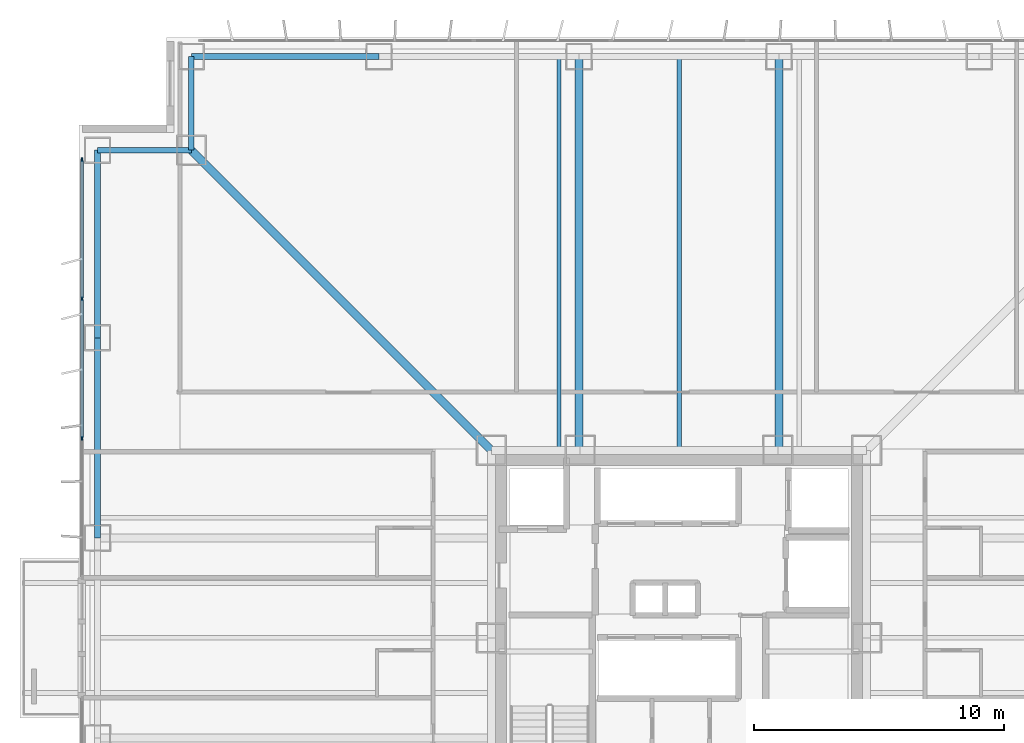
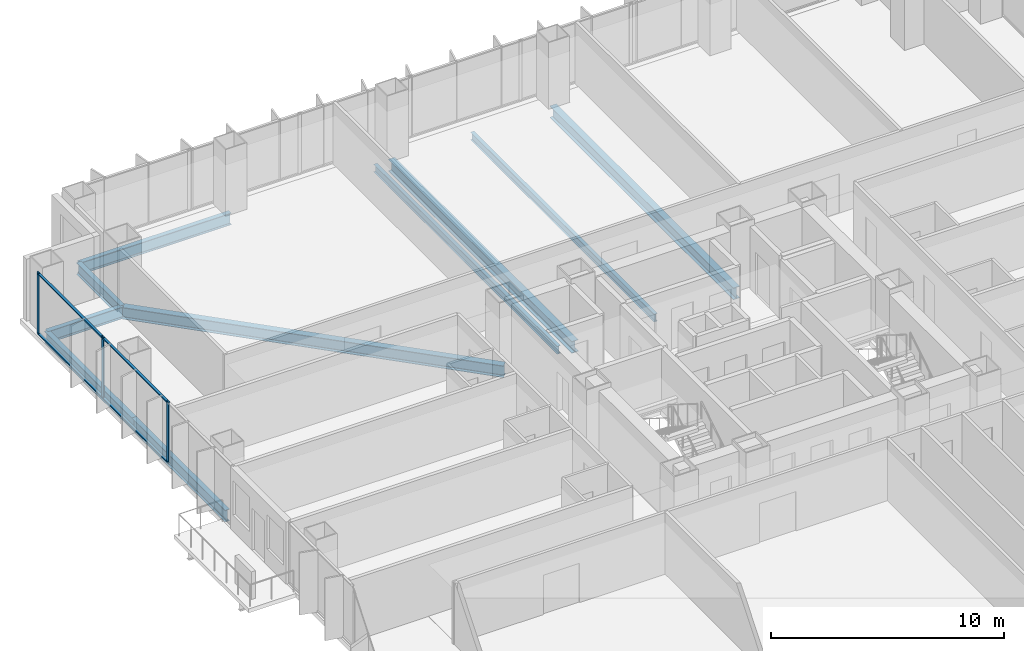
# One storey, part 7 of 16: 10 beams, 7 members, 1 element without a shape of its own.
"""IFC4 building model written with IfcOpenShell, lengths in metres."""

import ifcopenshell
import ifcopenshell.guid

model = None  # the IFC model being written
_history = None  # IfcOwnerHistory: only IFC2X3 demands one
_inside = {}  # id of a spatial element -> (the spatial element, [elements in it])
_under = {}  # id of a project, library or spatial element -> (it, [spatial elements below it])
_declared = {}  # id of a project -> (the project, [libraries it declares])
_typed = {}  # id of a type object -> (the type object, [elements of that type])
_made_of = {}  # id of a material, layer set ... -> (it, [elements and type objects made of it])


def new_model(schema):
    """Start an empty IFC model of exactly this schema.

    Asked for "IFC4X3", IfcOpenShell would pick the latest addendum, in which some entities
    have other attributes; the version numbers below select the first issue.
    IFC2X3 requires an IfcOwnerHistory on every rooted entity: one is made here for all.
    """
    global model, _history
    if schema == "IFC4X3":
        model = ifcopenshell.file(schema_version=(4, 3, 0, 0))
    else:
        model = ifcopenshell.file(schema=schema)
    _inside.clear()
    _under.clear()
    _declared.clear()
    _typed.clear()
    _made_of.clear()
    _history = None
    if model.schema == "IFC2X3":
        org = make("IfcOrganization", Name="unknown")
        user = make(
            "IfcPersonAndOrganization",
            ThePerson=make("IfcPerson", FamilyName="unknown"),
            TheOrganization=org,
        )
        app = make(
            "IfcApplication",
            ApplicationDeveloper=org,
            Version="unknown",
            ApplicationFullName="unknown",
            ApplicationIdentifier="unknown",
        )
        _history = make(
            "IfcOwnerHistory",
            OwningUser=user,
            OwningApplication=app,
            ChangeAction="ADDED",
            CreationDate=0,
        )
    return model


def make(cls, **values):
    """One entity of the class cls with the attributes given. An attribute that is None is left unset."""
    return model.create_entity(
        cls, **{name: value for name, value in values.items() if value is not None}
    )


def rooted(cls, **values):
    """An entity with a GlobalId (a new one), such as an element, a storey or a relation."""
    return make(cls, GlobalId=ifcopenshell.guid.new(), OwnerHistory=_history, **values)


def si_unit(unit_type, name, prefix=None):
    """IfcSIUnit, for example si_unit("LENGTHUNIT", "METRE", prefix="MILLI")."""
    return make("IfcSIUnit", UnitType=unit_type, Prefix=prefix, Name=name)


def assignment(units):
    """IfcUnitAssignment: the units of a project."""
    return None if units is None else make("IfcUnitAssignment", Units=units)


def point(xyz):
    """IfcCartesianPoint."""
    return None if xyz is None else make("IfcCartesianPoint", Coordinates=xyz)


def direction(xyz):
    """IfcDirection."""
    return None if xyz is None else make("IfcDirection", DirectionRatios=xyz)


def frame(location, z_axis=None, x_axis=None):
    """IfcAxis2Placement3D, a coordinate frame: its origin and axes. An axis left out is left unset."""
    return make(
        "IfcAxis2Placement3D",
        Location=point(location),
        Axis=direction(z_axis),
        RefDirection=direction(x_axis),
    )


def frame_2d(location, x_axis=None):
    """IfcAxis2Placement2D, a coordinate frame in the plane: its origin and x axis."""
    return make(
        "IfcAxis2Placement2D", Location=point(location), RefDirection=direction(x_axis)
    )


def origin():
    """The frame at (0, 0, 0) with its axes left unset."""
    return frame((0.0, 0.0, 0.0))


def origin_2d():
    """The frame at (0, 0) in the plane with its x axis left unset."""
    return frame_2d((0.0, 0.0))


def place(relative_to, where):
    """IfcLocalPlacement: puts the frame where relative to a parent placement (None: the world)."""
    return make(
        "IfcLocalPlacement", PlacementRelTo=relative_to, RelativePlacement=where
    )


def context(
    kind, dimensions, precision=None, world=None, true_north=None, identifier=None
):
    """IfcGeometricRepresentationContext, for example the 3D "Model" context."""
    return make(
        "IfcGeometricRepresentationContext",
        ContextIdentifier=identifier,
        ContextType=kind,
        CoordinateSpaceDimension=dimensions,
        Precision=precision,
        WorldCoordinateSystem=world,
        TrueNorth=true_north,
    )


def subcontext(parent, identifier, kind, view, scale=None):
    """IfcGeometricRepresentationSubContext, for example "Body" below "Model"."""
    return make(
        "IfcGeometricRepresentationSubContext",
        ContextIdentifier=identifier,
        ContextType=kind,
        ParentContext=parent,
        TargetScale=scale,
        TargetView=view,
    )


def project(units=None, contexts=None):
    """IfcProject with its units and contexts."""
    return rooted(
        "IfcProject",
        Name="project",
        RepresentationContexts=contexts,
        UnitsInContext=assignment(units),
    )


def spatial(cls, under=None, at=None, **own):
    """A site, building, storey or space (cls), placed at a placement, below another one or the project."""
    s = rooted(cls, ObjectPlacement=at, **own)
    if under is not None:
        _under.setdefault(under.id(), (under, []))[1].append(s)
    return s


def profile(cls, at=None, kind="AREA", **sizes):
    """A parametric profile (cls). Its sizes go by their IFC names, for example OverallWidth=200.0."""
    return make(cls, ProfileType=kind, Position=at, **sizes)


def rectangle(**sizes):
    """IfcRectangleProfileDef."""
    return profile("IfcRectangleProfileDef", **sizes)


def i_section(**sizes):
    """IfcIShapeProfileDef."""
    return profile("IfcIShapeProfileDef", **sizes)


def extrude(swept, where, along, depth):
    """IfcExtrudedAreaSolid: the profile swept, set in the frame where, extruded along a direction by depth."""
    return make(
        "IfcExtrudedAreaSolid",
        SweptArea=swept,
        Position=where,
        ExtrudedDirection=direction(along),
        Depth=depth,
    )


def shape(context_of_items, identifier, shape_type, items):
    """IfcShapeRepresentation: the items that make up one representation, for example the "Body"."""
    return make(
        "IfcShapeRepresentation",
        ContextOfItems=context_of_items,
        RepresentationIdentifier=identifier,
        RepresentationType=shape_type,
        Items=items,
    )


def material(Name=None, Category=None):
    """IfcMaterial."""
    return make("IfcMaterial", Name=Name, Category=Category)


def layer(
    of_material, thickness, ventilated=None, Name=None, Category=None, Priority=None
):
    """IfcMaterialLayer: one layer of a wall or slab, of a material (None: an air gap)."""
    return make(
        "IfcMaterialLayer",
        Material=of_material,
        LayerThickness=thickness,
        IsVentilated=ventilated,
        Name=Name,
        Category=Category,
        Priority=Priority,
    )


def layer_set(layers, Name=None):
    """IfcMaterialLayerSet."""
    return make("IfcMaterialLayerSet", MaterialLayers=layers, LayerSetName=Name)


def material_profile(
    of_material, cross_section, Name=None, Category=None, Priority=None
):
    """IfcMaterialProfile: a cross section and its material."""
    return make(
        "IfcMaterialProfile",
        Name=Name,
        Material=of_material,
        Profile=cross_section,
        Priority=Priority,
        Category=Category,
    )


def profile_set(profiles, Name=None, composite=None):
    """IfcMaterialProfileSet."""
    return make(
        "IfcMaterialProfileSet",
        Name=Name,
        MaterialProfiles=profiles,
        CompositeProfile=composite,
    )


def made_of(thing, what):
    """Note that an element or type object is made of a material, layer set ...; save() writes the relation."""
    if what is not None:
        _made_of.setdefault(what.id(), (what, []))[1].append(thing)
    return thing


def type_object(cls, material=None, **own):
    """A type object (cls), such as IfcWallType, which elements share."""
    return made_of(rooted(cls, **own), material)


def element(
    cls,
    number,
    at=None,
    inside=None,
    cuts=None,
    type_object=None,
    material=None,
    context=None,
    identifier="Body",
    shape_type=None,
    held_by="IfcProductDefinitionShape",
    body=None,
    shapes=None,
    **own,
):
    """One element of the class cls, such as IfcWall. Its Tag is "e" and its number.

    at: its placement. inside: the storey or other place that contains it. cuts: it is an
    opening in that element (IfcRelVoidsElement). A single representation is given by context,
    identifier, shape_type and body (its items); several are given by shapes. held_by: the class
    of the entity that holds the representations. save() writes the other relations.
    """
    e = rooted(cls, Tag="e%d" % number, ObjectPlacement=at, **own)
    if body is not None:
        shapes = [shape(context, identifier, shape_type, body)]
    if shapes is not None:
        e.Representation = make(held_by, Representations=shapes)
    if inside is not None:
        _inside.setdefault(inside.id(), (inside, []))[1].append(e)
    if cuts is not None:
        rooted(
            "IfcRelVoidsElement", RelatingBuildingElement=cuts, RelatedOpeningElement=e
        )
    if type_object is not None:
        _typed.setdefault(type_object.id(), (type_object, []))[1].append(e)
    return made_of(e, material)


def aggregate(whole, parts):
    """IfcRelAggregates: a whole, such as a stair, and the parts it consists of."""
    return rooted("IfcRelAggregates", RelatingObject=whole, RelatedObjects=parts)


def save(model, path):
    """Write the relations noted so far, then the file.

    IfcRelAggregates (storeys below a building ...), IfcRelContainedInSpatialStructure (elements
    in a storey), IfcRelDefinesByType, IfcRelAssociatesMaterial and IfcRelDeclares: one each for
    every whole, place, type object, material and project.
    """
    for whole, parts in _under.values():
        aggregate(whole, parts)
    for where, things in _inside.values():
        rooted(
            "IfcRelContainedInSpatialStructure",
            RelatedElements=things,
            RelatingStructure=where,
        )
    for kind, things in _typed.values():
        rooted("IfcRelDefinesByType", RelatedObjects=things, RelatingType=kind)
    for what, things in _made_of.values():
        rooted("IfcRelAssociatesMaterial", RelatedObjects=things, RelatingMaterial=what)
    for by, libraries in _declared.values():
        rooted("IfcRelDeclares", RelatingContext=by, RelatedDefinitions=libraries)
    model.write(path)


model = new_model("IFC4")

# Units and contexts
model_context = context("Model", 3, precision=1e-05, world=origin(), true_north=direction((0.0, 1.0)))
body_context = subcontext(model_context, "Body", "Model", "MODEL_VIEW")
ifc_project = project(units=[si_unit("LENGTHUNIT", "METRE"), si_unit("AREAUNIT", "SQUARE_METRE"), si_unit("VOLUMEUNIT", "CUBIC_METRE"), si_unit("PLANEANGLEUNIT", "RADIAN"), si_unit("MASSUNIT", "GRAM", prefix="KILO")], contexts=[model_context])

# Site, building, storey
site_placement = place(None, origin())
site = spatial("IfcSite", under=ifc_project, at=site_placement, CompositionType="ELEMENT")
building_placement = place(site_placement, origin())
building = spatial("IfcBuilding", under=site, at=building_placement, Name="Trevonay Congress Spire", CompositionType="ELEMENT")
storey_placement = place(building_placement, frame((0.0, 0.0, 48.0)))
storey = spatial("IfcBuildingStorey", under=building, at=storey_placement, Name="L11", CompositionType="ELEMENT", Elevation=48.0)

# Beams
ifc_material_1 = material(Name="Steel ASTM A572 Grade 50", Category="steel")
ifc_material_profile_1 = material_profile(ifc_material_1, i_section(OverallWidth=0.324951171875, OverallDepth=0.615966796875, WebThickness=0.013916015625, FlangeThickness=0.021484375, FilletRadius=0.01806640625, at=origin_2d()), Name="W610x174")
ifc_profile_set_1 = profile_set([ifc_material_profile_1], Name="Steel ASTM A572 Grade 50")
beam_type_1 = type_object("IfcBeamType", Name="BM-GIRD-W610X174", PredefinedType="BEAM", material=ifc_profile_set_1)
beam_1_placement = place(storey_placement, frame((-7.5, 7.5, -0.55810546875), z_axis=(-0.707106781187, 0.707106781187, 0.0), x_axis=(-0.707106781187, -0.707106781187, 0.0)))
element("IfcBeam", 1, at=beam_1_placement, inside=storey, type_object=beam_type_1, Name="L11 structural beam BM-L11-CDNW", PredefinedType="BEAM", context=body_context, shape_type="SweptSolid", body=[
    extrude(i_section(OverallWidth=0.324951171875, OverallDepth=0.615966796875, WebThickness=0.013916015625, FlangeThickness=0.021484375, FilletRadius=0.01806640625, at=origin_2d()), origin(), (0.0, 0.0, 1.0), 16.970458984375),
])
for number, where, z_axis, x_axis, name in (
    (2, (-4.0, 7.5, -0.55810546875), (0.0, 1.0, 0.0), (-1.0, 0.0, 0.0), "L11 structural beam BM-L11-GN-M"),
    (3, (4.0, 7.5, -0.55810546875), (0.0, 1.0, 0.0), (-1.0, 0.0, 0.0), "L11 structural beam BM-L11-GN-P"),
):
    element("IfcBeam", number, at=place(storey_placement, frame(where, z_axis=z_axis, x_axis=x_axis)), inside=storey, type_object=beam_type_1, Name=name, PredefinedType="BEAM", context=body_context, shape_type="SweptSolid", body=[
        extrude(i_section(OverallWidth=0.324951171875, OverallDepth=0.615966796875, WebThickness=0.013916015625, FlangeThickness=0.021484375, FilletRadius=0.01806640625, at=origin_2d()), origin(), (0.0, 0.0, 1.0), 15.75),
    ])
ifc_material_profile_2 = material_profile(ifc_material_1, i_section(OverallWidth=0.22998046875, OverallDepth=0.616943359375, WebThickness=0.01318359375, FlangeThickness=0.022216796875, FilletRadius=0.01611328125, at=origin_2d()), Name="W610x140")
ifc_profile_set_2 = profile_set([ifc_material_profile_2], Name="Steel ASTM A572 Grade 50")
beam_type_2 = type_object("IfcBeamType", Name="BM-RING-W610X140", PredefinedType="BEAM", material=ifc_profile_set_2)
beam_2_placement = place(storey_placement, frame((-19.5, 23.25, -0.55859375), z_axis=(1.0, 0.0, 0.0), x_axis=(0.0, 1.0, 0.0)))
element("IfcBeam", 4, at=beam_2_placement, inside=storey, type_object=beam_type_2, Name="L11 structural beam BM-L11-PN1", PredefinedType="BEAM", context=body_context, shape_type="SweptSolid", body=[
    extrude(i_section(OverallWidth=0.22998046875, OverallDepth=0.616943359375, WebThickness=0.01318359375, FlangeThickness=0.022216796875, FilletRadius=0.01611328125, at=origin_2d()), origin(), (0.0, 0.0, 1.0), 7.5),
])
beam_3_placement = place(storey_placement, frame((-23.25, 4.0, -0.55859375), z_axis=(0.0, 1.0, 0.0), x_axis=(-1.0, 0.0, 0.0)))
element("IfcBeam", 5, at=beam_3_placement, inside=storey, type_object=beam_type_2, Name="L11 structural beam BM-L11-PW4", PredefinedType="BEAM", context=body_context, shape_type="SweptSolid", body=[
    extrude(i_section(OverallWidth=0.22998046875, OverallDepth=0.616943359375, WebThickness=0.01318359375, FlangeThickness=0.022216796875, FilletRadius=0.01611328125, at=origin_2d()), origin(), (0.0, 0.0, 1.0), 8.0),
])
beam_4_placement = place(storey_placement, frame((-23.25, 12.0, -0.55859375), z_axis=(0.0, 1.0, 0.0), x_axis=(-1.0, 0.0, 0.0)))
element("IfcBeam", 6, at=beam_4_placement, inside=storey, type_object=beam_type_2, Name="L11 structural beam BM-L11-PW5", PredefinedType="BEAM", context=body_context, shape_type="SweptSolid", body=[
    extrude(i_section(OverallWidth=0.22998046875, OverallDepth=0.616943359375, WebThickness=0.01318359375, FlangeThickness=0.022216796875, FilletRadius=0.01611328125, at=origin_2d()), origin(), (0.0, 0.0, 1.0), 7.5),
])
for number, where, z_axis, x_axis, name in (
    (7, (-19.5, 23.25, -0.55859375), (0.0, -1.0, 0.0), (1.0, 0.0, 0.0), "L11 structural beam BM-L11-N1NW"),
    (8, (-23.25, 19.5, -0.55859375), (1.0, 0.0, 0.0), (0.0, 1.0, 0.0), "L11 structural beam BM-L11-N2NW"),
):
    element("IfcBeam", number, at=place(storey_placement, frame(where, z_axis=z_axis, x_axis=x_axis)), inside=storey, type_object=beam_type_2, Name=name, PredefinedType="BEAM", context=body_context, shape_type="SweptSolid", body=[
        extrude(i_section(OverallWidth=0.22998046875, OverallDepth=0.616943359375, WebThickness=0.01318359375, FlangeThickness=0.022216796875, FilletRadius=0.01611328125, at=origin_2d()), origin(), (0.0, 0.0, 1.0), 3.75),
    ])

# Curtain wall, members
ifc_material_2 = material(Name="Pale Anodised Aluminium EN AW-6063-T6", Category="aluminium")
ifc_layer = layer(ifc_material_2, 0.179931640625, Name="Pale Anodised Aluminium EN AW-6063-T6")
ifc_layer_set = layer_set([ifc_layer], Name="Pale Anodised Aluminium EN AW-6063-T6")
curtain_wall_type = type_object("IfcCurtainWallType", Name="CW-SYS02-HOTEL-PALE-METAL", PredefinedType="NOTDEFINED", material=ifc_layer_set)
curtain_wall_placement = place(storey_placement, origin())
curtain_wall = element("IfcCurtainWall", 9, at=curtain_wall_placement, inside=storey, type_object=curtain_wall_type, Name="L11 WB unitised curtain wall", PredefinedType="NOTDEFINED")
ifc_material_profile_3 = material_profile(ifc_material_2, rectangle(XDim=0.06005859375, YDim=0.159912109375, at=origin_2d()), Name="CW-MULLION-160-ALUMINIUM")
ifc_profile_set_3 = profile_set([ifc_material_profile_3], Name="Pale Anodised Aluminium EN AW-6063-T6")
member_type_1 = type_object("IfcMemberType", Name="CW-MULLION-160-ALUMINIUM", PredefinedType="MULLION", material=ifc_profile_set_3)
member_1_placement = place(storey_placement, frame((-23.8798828125, 7.9833984375, 0.0), z_axis=(0.0, 0.0, 1.0), x_axis=(-1.0, 0.0, 0.0)))
member_1 = element("IfcMember", 10, at=member_1_placement, type_object=member_type_1, Name="CW02 mullion 2", PredefinedType="MULLION", context=body_context, shape_type="SweptSolid", body=[
    extrude(rectangle(XDim=0.06005859375, YDim=0.159912109375, at=origin_2d()), origin(), (0.0, 0.0, 1.0), 3.25),
])
member_2_placement = place(storey_placement, frame((-23.8798828125, 13.566650390625, 0.0), z_axis=(0.0, 0.0, 1.0), x_axis=(-1.0, 0.0, 0.0)))
member_2 = element("IfcMember", 11, at=member_2_placement, type_object=member_type_1, Name="CW02 mullion 3", PredefinedType="MULLION", context=body_context, shape_type="SweptSolid", body=[
    extrude(rectangle(XDim=0.06005859375, YDim=0.159912109375, at=origin_2d()), origin(), (0.0, 0.0, 1.0), 3.25),
])
member_3_placement = place(storey_placement, frame((-23.8798828125, 19.1201171875, 0.0), z_axis=(0.0, 0.0, 1.0), x_axis=(-1.0, 0.0, 0.0)))
member_3 = element("IfcMember", 12, at=member_3_placement, type_object=member_type_1, Name="CW02 mullion 4", PredefinedType="MULLION", context=body_context, shape_type="SweptSolid", body=[
    extrude(rectangle(XDim=0.06005859375, YDim=0.159912109375, at=origin_2d()), origin(), (0.0, 0.0, 1.0), 3.25),
])
ifc_material_profile_4 = material_profile(ifc_material_2, rectangle(XDim=0.1201171875, YDim=0.06005859375, at=origin_2d()), Name="CW-TRANSOM-120-ALUMINIUM")
ifc_profile_set_4 = profile_set([ifc_material_profile_4], Name="Pale Anodised Aluminium EN AW-6063-T6")
member_type_2 = type_object("IfcMemberType", Name="CW-TRANSOM-120-ALUMINIUM", PredefinedType="USERDEFINED", material=ifc_profile_set_4)
member_4_placement = place(storey_placement, frame((-23.8798828125, 8.013427734375, 0.06005859375), z_axis=(0.0, 1.0, 0.0), x_axis=(-1.0, 0.0, 0.0)))
member_4 = element("IfcMember", 13, at=member_4_placement, type_object=member_type_2, Name="CW02 transom 2.1", ObjectType="TRANSOM", PredefinedType="USERDEFINED", context=body_context, shape_type="SweptSolid", body=[
    extrude(rectangle(XDim=0.1201171875, YDim=0.06005859375, at=origin_2d()), origin(), (0.0, 0.0, 1.0), 5.523193359375),
])
member_5_placement = place(storey_placement, frame((-23.8798828125, 8.013427734375, 3.18994140625), z_axis=(0.0, 1.0, 0.0), x_axis=(-1.0, 0.0, 0.0)))
member_5 = element("IfcMember", 14, at=member_5_placement, type_object=member_type_2, Name="CW02 transom 2.2", ObjectType="TRANSOM", PredefinedType="USERDEFINED", context=body_context, shape_type="SweptSolid", body=[
    extrude(rectangle(XDim=0.1201171875, YDim=0.06005859375, at=origin_2d()), origin(), (0.0, 0.0, 1.0), 5.523193359375),
])
member_6_placement = place(storey_placement, frame((-23.8798828125, 13.5966796875, 0.06005859375), z_axis=(0.0, 1.0, 0.0), x_axis=(-1.0, 0.0, 0.0)))
member_6 = element("IfcMember", 15, at=member_6_placement, type_object=member_type_2, Name="CW02 transom 3.1", ObjectType="TRANSOM", PredefinedType="USERDEFINED", context=body_context, shape_type="SweptSolid", body=[
    extrude(rectangle(XDim=0.1201171875, YDim=0.06005859375, at=origin_2d()), origin(), (0.0, 0.0, 1.0), 5.493408203125),
])
member_7_placement = place(storey_placement, frame((-23.8798828125, 13.5966796875, 3.18994140625), z_axis=(0.0, 1.0, 0.0), x_axis=(-1.0, 0.0, 0.0)))
member_7 = element("IfcMember", 16, at=member_7_placement, type_object=member_type_2, Name="CW02 transom 3.2", ObjectType="TRANSOM", PredefinedType="USERDEFINED", context=body_context, shape_type="SweptSolid", body=[
    extrude(rectangle(XDim=0.1201171875, YDim=0.06005859375, at=origin_2d()), origin(), (0.0, 0.0, 1.0), 5.493408203125),
])
aggregate(curtain_wall, [member_1, member_2, member_3, member_4, member_5, member_6, member_7])

# Beams
ifc_material_profile_5 = material_profile(ifc_material_1, i_section(OverallWidth=0.177978515625, OverallDepth=0.406982421875, WebThickness=0.0078125, FlangeThickness=0.0126953125, FilletRadius=0.012939453125, at=origin_2d()), Name="W410x60")
ifc_profile_set_5 = profile_set([ifc_material_profile_5], Name="Steel ASTM A572 Grade 50")
beam_type_3 = type_object("IfcBeamType", Name="JS-COMP-W410X60", PredefinedType="JOIST", material=ifc_profile_set_5)
for number, where, z_axis, x_axis, name in (
    (17, (-4.800048828125, 7.5, -0.45361328125), (0.0, 1.0, 0.0), (-1.0, 0.0, 0.0), "L11 structural beam JS-L11-NS-N1"),
    (18, (0.0, 7.5, -0.45361328125), (0.0, 1.0, 0.0), (-1.0, 0.0, 0.0), "L11 structural beam JS-L11-NS-N2"),
):
    element("IfcBeam", number, at=place(storey_placement, frame(where, z_axis=z_axis, x_axis=x_axis)), inside=storey, type_object=beam_type_3, Name=name, PredefinedType="JOIST", context=body_context, shape_type="SweptSolid", body=[
        extrude(i_section(OverallWidth=0.177978515625, OverallDepth=0.406982421875, WebThickness=0.0078125, FlangeThickness=0.0126953125, FilletRadius=0.012939453125, at=origin_2d()), origin(), (0.0, 0.0, 1.0), 15.75),
    ])

save(model, "model.ifc")
